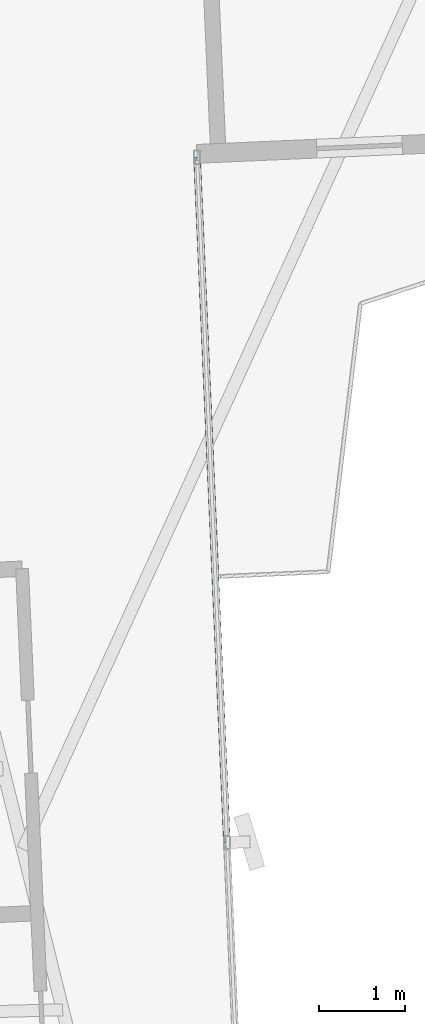
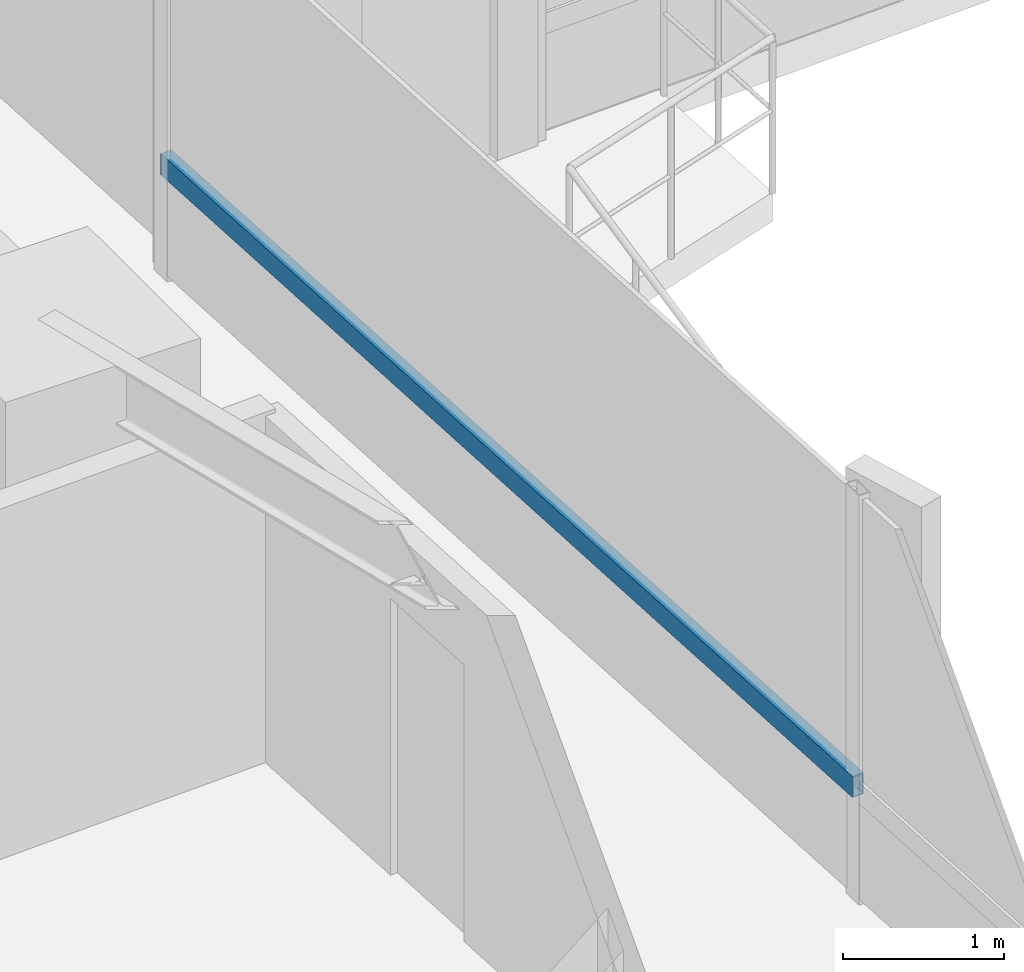
# One storey, part 7 of 26: 1 member, 1 element without a shape of its own.
"""IFC4 building model written with IfcOpenShell, lengths in metres."""

from ifc_helpers import new_model, si_unit, direction, frame, origin, origin_2d, place, context, subcontext, project, spatial, hollow_rectangle, extrude, source, transform, mapped, material, material_profile, profile_set, type_object, element, aggregate, save


model = new_model("IFC4")

# Units and contexts
model_context = context("Model", 3, precision=1e-05, world=origin(), true_north=direction((0.0, 1.0)))
body_context = subcontext(model_context, "Body", "Model", "MODEL_VIEW")
ifc_project = project(units=[si_unit("LENGTHUNIT", "METRE"), si_unit("AREAUNIT", "SQUARE_METRE"), si_unit("VOLUMEUNIT", "CUBIC_METRE"), si_unit("PLANEANGLEUNIT", "RADIAN"), si_unit("MASSUNIT", "GRAM", prefix="KILO")], contexts=[model_context])

# Site, building, storey
site_placement = place(None, origin())
site = spatial("IfcSite", under=ifc_project, at=site_placement, CompositionType="ELEMENT")
building_placement = place(site_placement, origin())
building = spatial("IfcBuilding", under=site, at=building_placement, Name="Sahyath Konkavel Grand Hotel", CompositionType="ELEMENT")
storey_placement = place(building_placement, frame((0.0, 0.0, 114.800048828125)))
storey = spatial("IfcBuildingStorey", under=building, at=storey_placement, Name="L31", CompositionType="ELEMENT", Elevation=114.800048828125)

# Curtain wall, member
ifc_material_1 = material(Name="Anodised Bronze Aluminium & Low-E Glazing", Category="aluminium")
curtain_wall_type = type_object("IfcCurtainWallType", Name="CW-ZONE2", PredefinedType="NOTDEFINED", material=ifc_material_1)
curtain_wall_placement = place(storey_placement, origin())
curtain_wall = element("IfcCurtainWall", 1, at=curtain_wall_placement, inside=storey, type_object=curtain_wall_type, Name="L31 Unitised Curtain Wall F31", PredefinedType="NOTDEFINED")
ifc_material_2 = material(Name="Anodised Bronze Aluminium", Category="aluminium")
ifc_material_profile = material_profile(ifc_material_2, hollow_rectangle(XDim=0.080078125, YDim=0.159912109375, WallThickness=0.006103515625, at=origin_2d()), Name="RHS 160x80x6")
ifc_profile_set = profile_set([ifc_material_profile], Name="Anodised Bronze Aluminium")
member_type = type_object("IfcMemberType", Name="CW-TRN-160", PredefinedType="USERDEFINED", material=ifc_profile_set)
shared_shape = source(origin(), body_context, "Body", "SweptSolid", [
    extrude(hollow_rectangle(XDim=0.080078125, YDim=0.159912109375, WallThickness=0.006103515625, at=origin_2d()), origin(), (0.0, 0.0, 1.0), 8.010009765625),
])
member_placement = place(storey_placement, frame((7.232666015625, -14.34814453125, 0.849853515625), z_axis=(-0.043615785896, 0.999048378819, 0.0), x_axis=(-0.999048378819, -0.043615785896, 0.0)))
member = element("IfcMember", 2, at=member_placement, type_object=member_type, Name="L31 Curtain Wall Transom F31-1-spandrel", ObjectType="TRANSOM", PredefinedType="USERDEFINED", context=body_context, shape_type="MappedRepresentation", body=[
    mapped(shared_shape, transform((0.0, 0.0, 0.0), scale=1.0)),
])
aggregate(curtain_wall, [member])

save(model, "model.ifc")
